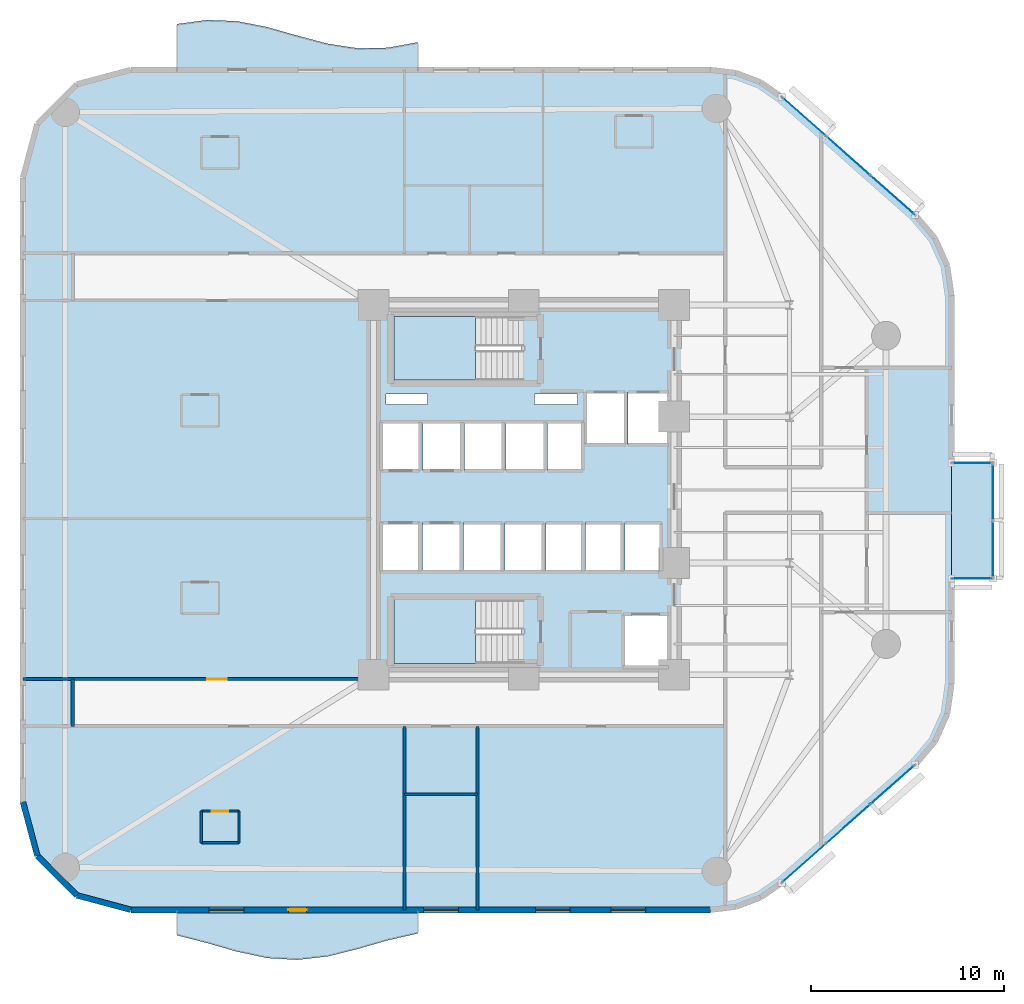
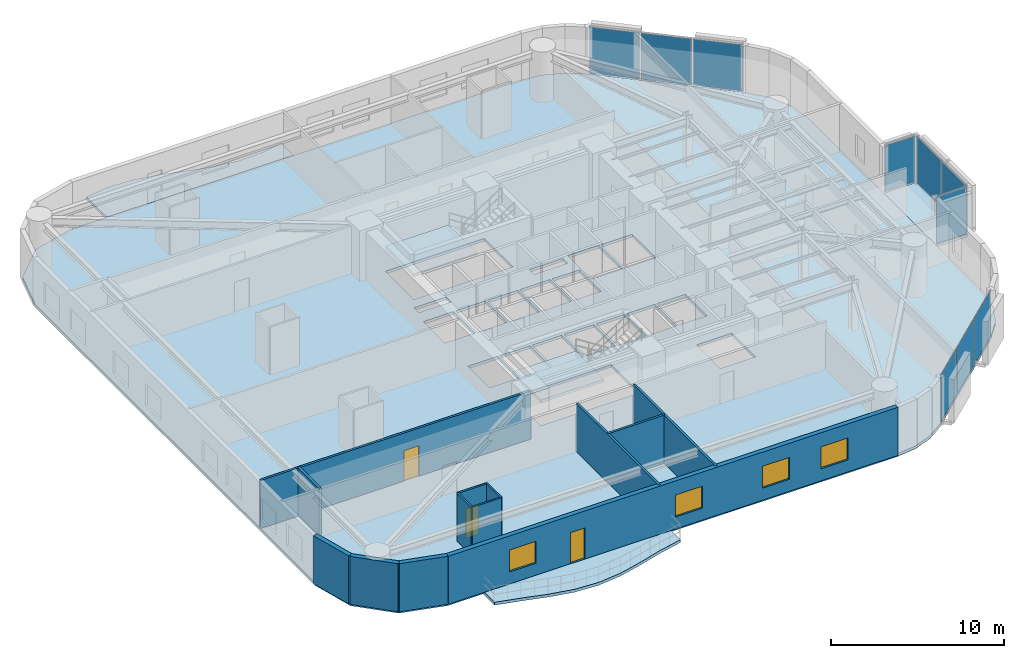
# One storey, part 9 of 16: 13 walls, 10 plates, 6 slabs, 4 windows, 3 doors, 7 openings, 7 elements without a shape of their own.
"""IFC4 building model written with IfcOpenShell, lengths in metres."""

from ifc_helpers import new_model, si_unit, direction, frame, frame_2d, origin, origin_2d, place, context, subcontext, project, spatial, polyline, rectangle, outline, extrude, material, layer, layer_set, type_object, element, fill, aggregate, save


model = new_model("IFC4")

# Units and contexts
model_context = context("Model", 3, precision=1e-05, world=origin(), true_north=direction((0.0, 1.0)))
body_context = subcontext(model_context, "Body", "Model", "MODEL_VIEW")
ifc_project = project(units=[si_unit("LENGTHUNIT", "METRE"), si_unit("AREAUNIT", "SQUARE_METRE"), si_unit("VOLUMEUNIT", "CUBIC_METRE"), si_unit("PLANEANGLEUNIT", "RADIAN"), si_unit("MASSUNIT", "GRAM", prefix="KILO")], contexts=[model_context])

# Site, building, storey
site_placement = place(None, origin())
site = spatial("IfcSite", under=ifc_project, at=site_placement, CompositionType="ELEMENT")
building_placement = place(site_placement, origin())
building = spatial("IfcBuilding", under=site, at=building_placement, Name="An Khanh Terracotta Commons", CompositionType="ELEMENT")
storey_placement = place(building_placement, frame((0.0, 0.0, 57.60009765625)))
storey = spatial("IfcBuildingStorey", under=building, at=storey_placement, Name="L15", CompositionType="ELEMENT", Elevation=57.60009765625)

# Curtain wall, plates
ifc_material_1 = material(Name="Anodised Aluminium 6063-T6", Category="aluminium")
ifc_layer_1 = layer(ifc_material_1, 0.199951171875, Name="Anodised Aluminium 6063-T6")
ifc_layer_set_1 = layer_set([ifc_layer_1], Name="Anodised Aluminium 6063-T6")
curtain_wall_type_1 = type_object("IfcCurtainWallType", Name="CW-SYS-02", PredefinedType="USERDEFINED", material=ifc_layer_set_1)
curtain_wall_1_placement = place(storey_placement, origin())
curtain_wall_1 = element("IfcCurtainWall", 1, at=curtain_wall_1_placement, inside=storey, type_object=curtain_wall_type_1, Name="L15 CW-02 Unitised Curtain Wall CW-L15-08", ObjectType="UNITISED CURTAIN WALL", PredefinedType="USERDEFINED")
ifc_material_2 = material(Name="Double Low-E Solar Control Glazing", Category="glass")
ifc_layer_2 = layer(ifc_material_2, 0.028076171875, Name="Double Low-E Solar Control Glazing")
ifc_layer_set_2 = layer_set([ifc_layer_2], Name="Double Low-E Solar Control Glazing")
plate_type_1 = type_object("IfcPlateType", Name="CWP-IGU-28", PredefinedType="CURTAIN_PANEL", material=ifc_layer_set_2)
plate_1_placement = place(storey_placement, frame((43.95556640625, 4.637939453125, 0.06005859375), z_axis=(0.0, 0.0, 1.0), x_axis=(0.749019284633, 0.662548195415, 0.0)))
plate_1 = element("IfcPlate", 2, at=plate_1_placement, type_object=plate_type_1, Name="CW-02 panel 1.1", PredefinedType="CURTAIN_PANEL", context=body_context, shape_type="SweptSolid", body=[
    extrude(rectangle(XDim=2.97509765625, YDim=0.028076171875, at=origin_2d()), origin(), (0.0, 0.0, 1.0), 3.280029296875),
])
plate_2_placement = place(storey_placement, frame((46.24951171875, 6.6669921875, 0.06005859375), z_axis=(0.0, 0.0, 1.0), x_axis=(0.749019284633, 0.662548195415, 0.0)))
plate_2 = element("IfcPlate", 3, at=plate_2_placement, type_object=plate_type_1, Name="CW-02 panel 2.1", PredefinedType="CURTAIN_PANEL", context=body_context, shape_type="SweptSolid", body=[
    extrude(rectangle(XDim=3.010009765625, YDim=0.028076171875, at=origin_2d()), origin(), (0.0, 0.0, 1.0), 3.280029296875),
])
plate_3_placement = place(storey_placement, frame((48.54345703125, 8.696044921875, 0.06005859375), z_axis=(0.0, 0.0, 1.0), x_axis=(0.749019284633, 0.662548195415, 0.0)))
plate_3 = element("IfcPlate", 4, at=plate_3_placement, type_object=plate_type_1, Name="CW-02 panel 3.1", PredefinedType="CURTAIN_PANEL", context=body_context, shape_type="SweptSolid", body=[
    extrude(rectangle(XDim=2.97509765625, YDim=0.028076171875, at=origin_2d()), origin(), (0.0, 0.0, 1.0), 3.280029296875),
])
aggregate(curtain_wall_1, [plate_1, plate_2, plate_3])

curtain_wall_2_placement = place(storey_placement, origin())
curtain_wall_2 = element("IfcCurtainWall", 5, at=curtain_wall_2_placement, inside=storey, type_object=curtain_wall_type_1, Name="L15 CW-02 Unitised Curtain Wall CW-L15-16", ObjectType="UNITISED CURTAIN WALL", PredefinedType="USERDEFINED")
plate_4_placement = place(storey_placement, frame((48.54345703125, 39.303955078125, 0.06005859375), z_axis=(0.0, 0.0, 1.0), x_axis=(-0.749019284633, 0.662548195415, 0.0)))
plate_4 = element("IfcPlate", 6, at=plate_4_placement, type_object=plate_type_1, Name="CW-02 panel 1.1", PredefinedType="CURTAIN_PANEL", context=body_context, shape_type="SweptSolid", body=[
    extrude(rectangle(XDim=2.97509765625, YDim=0.028076171875, at=origin_2d()), origin(), (0.0, 0.0, 1.0), 3.280029296875),
])
plate_5_placement = place(storey_placement, frame((46.24951171875, 41.3330078125, 0.06005859375), z_axis=(0.0, 0.0, 1.0), x_axis=(-0.749019284633, 0.662548195415, 0.0)))
plate_5 = element("IfcPlate", 7, at=plate_5_placement, type_object=plate_type_1, Name="CW-02 panel 2.1", PredefinedType="CURTAIN_PANEL", context=body_context, shape_type="SweptSolid", body=[
    extrude(rectangle(XDim=3.010009765625, YDim=0.028076171875, at=origin_2d()), origin(), (0.0, 0.0, 1.0), 3.280029296875),
])
plate_6_placement = place(storey_placement, frame((43.95556640625, 43.362060546875, 0.06005859375), z_axis=(0.0, 0.0, 1.0), x_axis=(-0.749019284633, 0.662548195415, 0.0)))
plate_6 = element("IfcPlate", 8, at=plate_6_placement, type_object=plate_type_1, Name="CW-02 panel 3.1", PredefinedType="CURTAIN_PANEL", context=body_context, shape_type="SweptSolid", body=[
    extrude(rectangle(XDim=2.97509765625, YDim=0.028076171875, at=origin_2d()), origin(), (0.0, 0.0, 1.0), 3.280029296875),
])
aggregate(curtain_wall_2, [plate_4, plate_5, plate_6])

ifc_layer_3 = layer(ifc_material_1, 0.239990234375, Name="Anodised Aluminium 6063-T6")
ifc_layer_set_3 = layer_set([ifc_layer_3], Name="Anodised Aluminium 6063-T6")
curtain_wall_type_2 = type_object("IfcCurtainWallType", Name="CW-SYS-04", PredefinedType="USERDEFINED", material=ifc_layer_set_3)
curtain_wall_3_placement = place(storey_placement, origin())
curtain_wall_3 = element("IfcCurtainWall", 9, at=curtain_wall_3_placement, inside=storey, type_object=curtain_wall_type_2, Name="L15 CW-04 Unitised Curtain Wall CW-L15-EBOX-1", ObjectType="UNITISED CURTAIN WALL", PredefinedType="USERDEFINED")
ifc_material_3 = material(Name="Triple-Silver Sky-Lobby Glazing", Category="glass")
ifc_layer_4 = layer(ifc_material_3, 0.0400390625, Name="Triple-Silver Sky-Lobby Glazing")
ifc_layer_set_4 = layer_set([ifc_layer_4], Name="Triple-Silver Sky-Lobby Glazing")
plate_type_2 = type_object("IfcPlateType", Name="CWP-IGU-40", PredefinedType="CURTAIN_PANEL", material=ifc_layer_set_4)
plate_7_placement = place(storey_placement, frame((53.75, 20.916259765625, 0.06005859375), z_axis=(0.0, 0.0, 1.0), x_axis=(0.0, 1.0, 0.0)))
plate_7 = element("IfcPlate", 10, at=plate_7_placement, type_object=plate_type_2, Name="CW-04 panel 1.1", PredefinedType="CURTAIN_PANEL", context=body_context, shape_type="SweptSolid", body=[
    extrude(rectangle(XDim=2.902587890625, YDim=0.0400390625, at=origin_2d()), origin(), (0.0, 0.0, 1.0), 3.280029296875),
])
plate_8_placement = place(storey_placement, frame((53.75, 23.8837890625, 0.06005859375), z_axis=(0.0, 0.0, 1.0), x_axis=(0.0, 1.0, 0.0)))
plate_8 = element("IfcPlate", 11, at=plate_8_placement, type_object=plate_type_2, Name="CW-04 panel 2.1", PredefinedType="CURTAIN_PANEL", context=body_context, shape_type="SweptSolid", body=[
    extrude(rectangle(XDim=2.902587890625, YDim=0.0400390625, at=origin_2d()), origin(), (0.0, 0.0, 1.0), 3.280029296875),
])
aggregate(curtain_wall_3, [plate_7, plate_8])

# Curtain wall, plate
curtain_wall_4_placement = place(storey_placement, origin())
curtain_wall_4 = element("IfcCurtainWall", 12, at=curtain_wall_4_placement, inside=storey, type_object=curtain_wall_type_2, Name="L15 CW-04 Unitised Curtain Wall CW-L15-EBOX-2", ObjectType="UNITISED CURTAIN WALL", PredefinedType="USERDEFINED")
plate_9_placement = place(storey_placement, frame((52.675048828125, 19.39990234375, 0.06005859375), z_axis=(0.0, 0.0, 1.0), x_axis=(1.0, 0.0, 0.0)))
plate_9 = element("IfcPlate", 13, at=plate_9_placement, type_object=plate_type_2, Name="CW-04 panel 1.1", PredefinedType="CURTAIN_PANEL", context=body_context, shape_type="SweptSolid", body=[
    extrude(rectangle(XDim=2.02001953125, YDim=0.0400390625, at=origin_2d()), origin(), (0.0, 0.0, 1.0), 3.280029296875),
])
aggregate(curtain_wall_4, [plate_9])

curtain_wall_5_placement = place(storey_placement, origin())
curtain_wall_5 = element("IfcCurtainWall", 14, at=curtain_wall_5_placement, inside=storey, type_object=curtain_wall_type_2, Name="L15 CW-04 Unitised Curtain Wall CW-L15-EBOX-3", ObjectType="UNITISED CURTAIN WALL", PredefinedType="USERDEFINED")
plate_10_placement = place(storey_placement, frame((52.675048828125, 25.39990234375, 0.06005859375), z_axis=(0.0, 0.0, 1.0), x_axis=(-1.0, 0.0, 0.0)))
plate_10 = element("IfcPlate", 15, at=plate_10_placement, type_object=plate_type_2, Name="CW-04 panel 1.1", PredefinedType="CURTAIN_PANEL", context=body_context, shape_type="SweptSolid", body=[
    extrude(rectangle(XDim=2.02001953125, YDim=0.0400390625, at=origin_2d()), origin(), (0.0, 0.0, 1.0), 3.280029296875),
])
aggregate(curtain_wall_5, [plate_10])

# Slabs
ifc_material_4 = material(Name="Concrete C40/50", Category="concrete")
ifc_layer_5 = layer(ifc_material_4, 0.199951171875, Name="Concrete C40/50")
ifc_layer_set_5 = layer_set([ifc_layer_5], Name="Concrete C40/50")
slab_type_1 = type_object("IfcSlabType", Name="SLAB-BALC-200", PredefinedType="FLOOR", material=ifc_layer_set_5)
slab_1_placement = place(storey_placement, frame((0.0, 0.0, -0.2001953125)))
element("IfcSlab", 16, at=slab_1_placement, inside=storey, type_object=slab_type_1, Name="L15 S Sinusoidal Wave Balcony Slab", PredefinedType="FLOOR", context=body_context, shape_type="SweptSolid", body=[
    extrude(outline(polyline([(11.39990234375, 2.199951171875), (11.39990234375, 0.8798828125), (12.962890625, 0.47802734375), (14.52490234375, 0.029052734375), (16.0869140625, -0.302978515625), (17.64990234375, -0.39599609375), (19.2119140625, -0.218017578125), (20.77490234375, 0.16796875), (22.3369140625, 0.6201171875), (23.89990234375, 0.97412109375), (23.89990234375, 2.199951171875), (11.39990234375, 2.199951171875)])), origin(), (0.0, 0.0, 1.0), 0.2001953125),
])
slab_2_placement = place(storey_placement, frame((0.0, 0.0, -0.2001953125)))
element("IfcSlab", 17, at=slab_2_placement, inside=storey, type_object=slab_type_1, Name="L15 N Sinusoidal Wave Balcony Slab", PredefinedType="FLOOR", context=body_context, shape_type="SweptSolid", body=[
    extrude(outline(polyline([(23.89990234375, 45.800048828125), (23.89990234375, 47.23291015625), (22.3369140625, 46.949951171875), (20.77490234375, 46.922119140625), (19.2119140625, 47.159912109375), (17.64990234375, 47.575927734375), (16.0869140625, 48.02001953125), (14.52490234375, 48.327880859375), (12.962890625, 48.388916015625), (11.39990234375, 48.179931640625), (11.39990234375, 45.800048828125), (23.89990234375, 45.800048828125)])), origin(), (0.0, 0.0, 1.0), 0.2001953125),
])

# Stair, slab
ifc_material_5 = material(Name="Precast concrete C40/50", Category="concrete")
stair_type = type_object("IfcStairType", Name="STAIR-CORE-1550", PredefinedType="HALF_TURN_STAIR", material=ifc_material_5)
stair_1_placement = place(storey_placement, origin())
stair_1 = element("IfcStair", 18, at=stair_1_placement, inside=storey, type_object=stair_type, Name="L15 Core Smokeproof Exit Stair ST-01", PredefinedType="HALF_TURN_STAIR")
ifc_layer_6 = layer(ifc_material_4, 0.18994140625, Name="Concrete C40/50")
ifc_layer_set_6 = layer_set([ifc_layer_6], Name="Concrete C40/50")
slab_type_2 = type_object("IfcSlabType", Name="SLAB-LANDING-190", PredefinedType="LANDING", material=ifc_layer_set_6)
slab_3_placement = place(storey_placement, frame((0.0, 0.0, 1.599853515625)))
slab_3 = element("IfcSlab", 19, at=slab_3_placement, type_object=slab_type_2, Name="ST-01 landing 1", PredefinedType="LANDING", context=body_context, shape_type="SweptSolid", body=[
    extrude(outline(polyline([(26.889892578125, 33.0), (22.64990234375, 33.0), (22.64990234375, 29.699951171875), (26.889892578125, 29.699951171875), (26.889892578125, 33.0)])), origin(), (0.0, 0.0, 1.0), 0.199951171875),
])
aggregate(stair_1, [slab_3])

stair_2_placement = place(storey_placement, origin())
stair_2 = element("IfcStair", 20, at=stair_2_placement, inside=storey, type_object=stair_type, Name="L15 Core Smokeproof Exit Stair ST-02", PredefinedType="HALF_TURN_STAIR")
slab_4_placement = place(storey_placement, frame((0.0, 0.0, 1.599853515625)))
slab_4 = element("IfcSlab", 21, at=slab_4_placement, type_object=slab_type_2, Name="ST-02 landing 1", PredefinedType="LANDING", context=body_context, shape_type="SweptSolid", body=[
    extrude(outline(polyline([(26.889892578125, 18.300048828125), (22.64990234375, 18.300048828125), (22.64990234375, 15.0), (26.889892578125, 15.0), (26.889892578125, 18.300048828125)])), origin(), (0.0, 0.0, 1.0), 0.199951171875),
])
aggregate(stair_2, [slab_4])

# Slabs
ifc_layer_7 = layer(ifc_material_4, 0.199951171875, Name="Concrete C40/50")
ifc_layer_set_7 = layer_set([ifc_layer_7], Name="Concrete C40/50")
slab_type_3 = type_object("IfcSlabType", Name="SLAB-TYP-200", PredefinedType="FLOOR", material=ifc_layer_set_7)
slab_5_placement = place(storey_placement, frame((0.0, 0.0, -0.2001953125)))
element("IfcSlab", 22, at=slab_5_placement, inside=storey, type_object=slab_type_3, Name="L15 Structural Floor Slab", PredefinedType="FLOOR", context=body_context, shape_type="SweptSolid", body=[
    extrude(outline(polyline([(3.39990234375, 7.800048828125), (4.14990234375, 5.0), (6.199951171875, 2.949951171875), (9.0, 2.199951171875), (39.0791015625, 2.199951171875), (40.4169921875, 2.362060546875), (41.678955078125, 2.840087890625), (42.7890625, 3.60595703125), (49.7099609375, 9.72802734375), (50.73193359375, 10.927978515625), (51.37890625, 12.363037109375), (51.60009765625, 13.923095703125), (51.60009765625, 34.076904296875), (51.37890625, 35.636962890625), (50.73193359375, 37.072021484375), (49.7099609375, 38.27197265625), (42.7890625, 44.39404296875), (41.678955078125, 45.159912109375), (40.4169921875, 45.637939453125), (39.0791015625, 45.800048828125), (9.0, 45.800048828125), (6.199951171875, 45.050048828125), (4.14990234375, 43.0), (3.39990234375, 40.199951171875), (3.39990234375, 7.800048828125)]), holes=[polyline([(22.64990234375, 29.699951171875), (29.27001953125, 29.699951171875), (29.27001953125, 33.0), (22.64990234375, 33.0), (22.64990234375, 29.699951171875)]), polyline([(22.64990234375, 15.0), (29.27001953125, 15.0), (29.27001953125, 18.300048828125), (22.64990234375, 18.300048828125), (22.64990234375, 15.0)]), polyline([(32.60009765625, 26.35009765625), (34.679931640625, 26.35009765625), (34.679931640625, 29.080078125), (32.60009765625, 29.080078125), (32.60009765625, 26.35009765625)]), polyline([(34.820068359375, 26.35009765625), (36.89990234375, 26.35009765625), (36.89990234375, 29.080078125), (34.820068359375, 29.080078125), (34.820068359375, 26.35009765625)]), polyline([(34.550048828125, 14.800048828125), (36.89990234375, 14.800048828125), (36.89990234375, 17.550048828125), (34.550048828125, 17.550048828125), (34.550048828125, 14.800048828125)]), polyline([(22.0, 25.0), (24.02001953125, 25.0), (24.02001953125, 27.5), (22.0, 27.5), (22.0, 25.0)]), polyline([(24.159912109375, 25.0), (26.179931640625, 25.0), (26.179931640625, 27.5), (24.159912109375, 27.5), (24.159912109375, 25.0)]), polyline([(22.0, 19.800048828125), (24.0, 19.800048828125), (24.0, 22.300048828125), (22.0, 22.300048828125), (22.0, 19.800048828125)]), polyline([(24.139892578125, 19.800048828125), (26.139892578125, 19.800048828125), (26.139892578125, 22.300048828125), (24.139892578125, 22.300048828125), (24.139892578125, 19.800048828125)]), polyline([(26.320068359375, 25.0), (28.340087890625, 25.0), (28.340087890625, 27.5), (26.320068359375, 27.5), (26.320068359375, 25.0)]), polyline([(28.47998046875, 25.0), (30.5, 25.0), (30.5, 27.5), (28.47998046875, 27.5), (28.47998046875, 25.0)]), polyline([(26.280029296875, 19.800048828125), (28.280029296875, 19.800048828125), (28.280029296875, 22.300048828125), (26.280029296875, 22.300048828125), (26.280029296875, 19.800048828125)]), polyline([(28.419921875, 19.800048828125), (30.419921875, 19.800048828125), (30.419921875, 22.300048828125), (28.419921875, 22.300048828125), (28.419921875, 19.800048828125)]), polyline([(30.639892578125, 25.0), (32.4599609375, 25.0), (32.4599609375, 27.5), (30.639892578125, 27.5), (30.639892578125, 25.0)]), polyline([(30.56005859375, 19.800048828125), (32.4599609375, 19.800048828125), (32.4599609375, 22.300048828125), (30.56005859375, 22.300048828125), (30.56005859375, 19.800048828125)]), polyline([(32.60009765625, 19.800048828125), (34.5, 19.800048828125), (34.5, 22.300048828125), (32.60009765625, 22.300048828125), (32.60009765625, 19.800048828125)]), polyline([(34.639892578125, 19.800048828125), (36.5400390625, 19.800048828125), (36.5400390625, 22.300048828125), (34.639892578125, 22.300048828125), (34.639892578125, 19.800048828125)]), polyline([(22.25, 28.419921875), (24.39990234375, 28.419921875), (24.39990234375, 28.97998046875), (22.25, 28.97998046875), (22.25, 28.419921875)]), polyline([(29.949951171875, 28.419921875), (32.199951171875, 28.419921875), (32.199951171875, 28.97998046875), (29.949951171875, 28.97998046875), (29.949951171875, 28.419921875)])]), origin(), (0.0, 0.0, 1.0), 0.2001953125),
])
slab_6_placement = place(storey_placement, frame((0.0, 0.0, -0.2001953125)))
element("IfcSlab", 23, at=slab_6_placement, inside=storey, type_object=slab_type_3, Name="L15 Shifted Social Kitchen Box Floor Slab", PredefinedType="FLOOR", context=body_context, shape_type="SweptSolid", body=[
    extrude(outline(polyline([(51.60009765625, 19.39990234375), (53.75, 19.39990234375), (53.75, 25.39990234375), (51.60009765625, 25.39990234375), (51.60009765625, 19.39990234375)])), origin(), (0.0, 0.0, 1.0), 0.2001953125),
])

# Walls
ifc_material_6 = material(Name="Fire-Rated Gypsum Board on Steel Stud", Category="steel")
ifc_layer_8 = layer(ifc_material_6, 0.179931640625, Name="Fire-Rated Gypsum Board on Steel Stud")
ifc_layer_set_8 = layer_set([ifc_layer_8], Name="Fire-Rated Gypsum Board on Steel Stud")
wall_type_1 = type_object("IfcWallType", Name="WALL-CORR-180", PredefinedType="PARTITIONING", material=ifc_layer_set_8)
wall_1_placement = place(storey_placement, frame((6.0, 11.719970703125, 0.0), z_axis=(0.0, 0.0, 1.0), x_axis=(0.0, 1.0, 0.0)))
element("IfcWall", 24, at=wall_1_placement, inside=storey, type_object=wall_type_1, Name="L15 Interior Partition IW-L15-E013", PredefinedType="PARTITIONING", context=body_context, shape_type="SweptSolid", body=[
    extrude(rectangle(XDim=2.4599609375, YDim=0.179931640625, at=frame_2d((1.22998046875, 0.0))), origin(), (0.0, 0.0, 1.0), 3.39990234375),
])
ifc_layer_9 = layer(ifc_material_5, 0.300048828125, Name="Precast concrete C40/50")
ifc_layer_set_9 = layer_set([ifc_layer_9], Name="Precast concrete C40/50")
wall_type_2 = type_object("IfcWallType", Name="WALL-EXT-300", PredefinedType="SOLIDWALL", material=ifc_layer_set_9)
wall_2_placement = place(storey_placement, frame((3.39990234375, 7.800048828125, 0.0), z_axis=(0.0, 0.0, 1.0), x_axis=(0.258731875344, -0.96594917914, 0.0)))
element("IfcWall", 25, at=wall_2_placement, inside=storey, type_object=wall_type_2, Name="L15 Insulated Terracotta Exterior Wall 1", PredefinedType="SOLIDWALL", context=body_context, shape_type="SweptSolid", body=[
    extrude(rectangle(XDim=2.898681640625, YDim=0.300048828125, at=frame_2d((1.44921875, 0.0))), origin(), (0.0, 0.0, 1.0), 3.39990234375),
])
wall_3_placement = place(storey_placement, frame((4.14990234375, 5.0, 0.0), z_axis=(0.0, 0.0, 1.0), x_axis=(0.707106781187, -0.707106781187, 0.0)))
element("IfcWall", 26, at=wall_3_placement, inside=storey, type_object=wall_type_2, Name="L15 Insulated Terracotta Exterior Wall 2", PredefinedType="SOLIDWALL", context=body_context, shape_type="SweptSolid", body=[
    extrude(rectangle(XDim=2.899169921875, YDim=0.300048828125, at=frame_2d((1.44970703125, 0.0))), origin(), (0.0, 0.0, 1.0), 3.39990234375),
])
wall_4_placement = place(storey_placement, frame((6.199951171875, 2.949951171875, 0.0), z_axis=(0.0, 0.0, 1.0), x_axis=(0.96594917914, -0.258731875344, 0.0)))
element("IfcWall", 27, at=wall_4_placement, inside=storey, type_object=wall_type_2, Name="L15 Insulated Terracotta Exterior Wall 3", PredefinedType="SOLIDWALL", context=body_context, shape_type="SweptSolid", body=[
    extrude(rectangle(XDim=2.898681640625, YDim=0.300048828125, at=frame_2d((1.44921875, 0.0))), origin(), (0.0, 0.0, 1.0), 3.39990234375),
])

# Wall, openings, door, windows
wall_5_placement = place(storey_placement, frame((9.0, 2.199951171875, 0.0), z_axis=(0.0, 0.0, 1.0), x_axis=(1.0, 0.0, 0.0)))
wall_5 = element("IfcWall", 28, at=wall_5_placement, inside=storey, type_object=wall_type_2, Name="L15 Insulated Terracotta Exterior Wall 4", PredefinedType="SOLIDWALL", context=body_context, shape_type="SweptSolid", body=[
    extrude(rectangle(XDim=30.0791015625, YDim=0.300048828125, at=frame_2d((15.03955078125, 0.0))), origin(), (0.0, 0.0, 1.0), 3.39990234375),
])
opening_1_placement = place(wall_5_placement, frame((8.175048828125, 0.0, 0.0)))
opening_1 = element("IfcOpeningElement", 29, at=opening_1_placement, cuts=wall_5, Name="Opening D-BAL", PredefinedType="OPENING", context=body_context, shape_type="SweptSolid", body=[
    extrude(rectangle(XDim=0.949951171875, YDim=2.199951171875, at=frame_2d((0.47509765625, 1.10009765625))), frame((0.0, 0.159912109375, 0.0), z_axis=(0.0, -1.0, 0.0), x_axis=(1.0, 0.0, 0.0)), (0.0, 0.0, 1.0), 0.320068359375),
])
opening_2_placement = place(wall_5_placement, frame((4.06689453125, 0.0, 0.85009765625)))
opening_2 = element("IfcOpeningElement", 30, at=opening_2_placement, cuts=wall_5, Name="Opening W-01", PredefinedType="OPENING", context=body_context, shape_type="SweptSolid", body=[
    extrude(rectangle(XDim=1.800048828125, YDim=1.550048828125, at=frame_2d((0.89990234375, 0.77490234375))), frame((0.0, 0.159912109375, 0.0), z_axis=(0.0, -1.0, 0.0), x_axis=(1.0, 0.0, 0.0)), (0.0, 0.0, 1.0), 0.320068359375),
])
opening_3_placement = place(wall_5_placement, frame((15.199951171875, 0.0, 0.85009765625)))
opening_3 = element("IfcOpeningElement", 31, at=opening_3_placement, cuts=wall_5, Name="Opening W-01", PredefinedType="OPENING", context=body_context, shape_type="SweptSolid", body=[
    extrude(rectangle(XDim=1.800048828125, YDim=1.550048828125, at=frame_2d((0.89990234375, 0.77490234375))), frame((0.0, 0.159912109375, 0.0), z_axis=(0.0, -1.0, 0.0), x_axis=(1.0, 0.0, 0.0)), (0.0, 0.0, 1.0), 0.320068359375),
])
opening_4_placement = place(wall_5_placement, frame((21.010009765625, 0.0, 0.85009765625)))
opening_4 = element("IfcOpeningElement", 32, at=opening_4_placement, cuts=wall_5, Name="Opening W-01", PredefinedType="OPENING", context=body_context, shape_type="SweptSolid", body=[
    extrude(rectangle(XDim=1.800048828125, YDim=1.550048828125, at=frame_2d((0.89990234375, 0.77490234375))), frame((0.0, 0.159912109375, 0.0), z_axis=(0.0, -1.0, 0.0), x_axis=(1.0, 0.0, 0.0)), (0.0, 0.0, 1.0), 0.320068359375),
])
opening_5_placement = place(wall_5_placement, frame((24.9189453125, 0.0, 0.85009765625)))
opening_5 = element("IfcOpeningElement", 33, at=opening_5_placement, cuts=wall_5, Name="Opening W-01", PredefinedType="OPENING", context=body_context, shape_type="SweptSolid", body=[
    extrude(rectangle(XDim=1.800048828125, YDim=1.550048828125, at=frame_2d((0.89990234375, 0.77490234375))), frame((0.0, 0.159912109375, 0.0), z_axis=(0.0, -1.0, 0.0), x_axis=(1.0, 0.0, 0.0)), (0.0, 0.0, 1.0), 0.320068359375),
])
ifc_material_7 = material(Name="Thermally Broken Aluminium and Low-E Glass", Category="aluminium")
door_type_1 = type_object("IfcDoorType", Name="DOOR-BALC-950", OperationType="NOTDEFINED", PredefinedType="DOOR", material=ifc_material_7)
door_1_placement = place(opening_1_placement, origin())
door_1 = element("IfcDoor", 34, at=door_1_placement, inside=storey, type_object=door_type_1, Name="L15 S Wave Balcony Glazed Door", OperationType="SINGLE_SWING_LEFT", OverallHeight=2.199951171875, OverallWidth=0.949951171875, PredefinedType="DOOR", context=body_context, shape_type="SweptSolid", body=[
    extrude(rectangle(XDim=0.949951171875, YDim=2.199951171875, at=frame_2d((0.47509765625, 1.10009765625))), frame((0.0, 0.02490234375, 0.0), z_axis=(0.0, -1.0, 0.0), x_axis=(1.0, 0.0, 0.0)), (0.0, 0.0, 1.0), 0.050048828125),
])
fill(opening_1, door_1)
window_type = type_object("IfcWindowType", Name="WIN-Z1-1800x1550", PartitioningType="DOUBLE_PANEL_VERTICAL", PredefinedType="WINDOW", material=ifc_material_7)
window_1_placement = place(opening_2_placement, origin())
window_1 = element("IfcWindow", 35, at=window_1_placement, inside=storey, type_object=window_type, Name="L15 Operable Casement Window 4.1", OverallHeight=1.550048828125, OverallWidth=1.800048828125, PartitioningType="DOUBLE_PANEL_VERTICAL", PredefinedType="WINDOW", context=body_context, shape_type="SweptSolid", body=[
    extrude(rectangle(XDim=1.800048828125, YDim=1.550048828125, at=frame_2d((0.89990234375, 0.77490234375))), frame((0.0, 0.030029296875, 0.0), z_axis=(0.0, -1.0, 0.0), x_axis=(1.0, 0.0, 0.0)), (0.0, 0.0, 1.0), 0.06005859375),
])
fill(opening_2, window_1)
window_2_placement = place(opening_3_placement, origin())
window_2 = element("IfcWindow", 36, at=window_2_placement, inside=storey, type_object=window_type, Name="L15 Operable Casement Window 4.2", OverallHeight=1.550048828125, OverallWidth=1.800048828125, PartitioningType="DOUBLE_PANEL_VERTICAL", PredefinedType="WINDOW", context=body_context, shape_type="SweptSolid", body=[
    extrude(rectangle(XDim=1.800048828125, YDim=1.550048828125, at=frame_2d((0.89990234375, 0.77490234375))), frame((0.0, 0.030029296875, 0.0), z_axis=(0.0, -1.0, 0.0), x_axis=(1.0, 0.0, 0.0)), (0.0, 0.0, 1.0), 0.06005859375),
])
fill(opening_3, window_2)
window_3_placement = place(opening_4_placement, origin())
window_3 = element("IfcWindow", 37, at=window_3_placement, inside=storey, type_object=window_type, Name="L15 Operable Casement Window 4.3", OverallHeight=1.550048828125, OverallWidth=1.800048828125, PartitioningType="DOUBLE_PANEL_VERTICAL", PredefinedType="WINDOW", context=body_context, shape_type="SweptSolid", body=[
    extrude(rectangle(XDim=1.800048828125, YDim=1.550048828125, at=frame_2d((0.89990234375, 0.77490234375))), frame((0.0, 0.030029296875, 0.0), z_axis=(0.0, -1.0, 0.0), x_axis=(1.0, 0.0, 0.0)), (0.0, 0.0, 1.0), 0.06005859375),
])
fill(opening_4, window_3)
window_4_placement = place(opening_5_placement, origin())
window_4 = element("IfcWindow", 38, at=window_4_placement, inside=storey, type_object=window_type, Name="L15 Operable Casement Window 4.4", OverallHeight=1.550048828125, OverallWidth=1.800048828125, PartitioningType="DOUBLE_PANEL_VERTICAL", PredefinedType="WINDOW", context=body_context, shape_type="SweptSolid", body=[
    extrude(rectangle(XDim=1.800048828125, YDim=1.550048828125, at=frame_2d((0.89990234375, 0.77490234375))), frame((0.0, 0.030029296875, 0.0), z_axis=(0.0, -1.0, 0.0), x_axis=(1.0, 0.0, 0.0)), (0.0, 0.0, 1.0), 0.06005859375),
])
fill(opening_5, window_4)

# Wall
ifc_material_8 = material(Name="Acoustic Gypsum Board Partition")
ifc_layer_10 = layer(ifc_material_8, 0.14990234375, Name="Acoustic Gypsum Board Partition")
ifc_layer_set_10 = layer_set([ifc_layer_10], Name="Acoustic Gypsum Board Partition")
wall_type_3 = type_object("IfcWallType", Name="WALL-PART-150", PredefinedType="PARTITIONING", material=ifc_layer_set_10)
wall_6_placement = place(storey_placement, frame((23.199951171875, 8.199951171875, 0.0), z_axis=(0.0, 0.0, 1.0), x_axis=(1.0, 0.0, 0.0)))
element("IfcWall", 39, at=wall_6_placement, inside=storey, type_object=wall_type_3, Name="L15 Interior Partition IW-L15-E001", PredefinedType="PARTITIONING", context=body_context, shape_type="SweptSolid", body=[
    extrude(rectangle(XDim=3.800048828125, YDim=0.14990234375, at=frame_2d((1.89990234375, 0.0))), origin(), (0.0, 0.0, 1.0), 3.39990234375),
])

# Wall, opening, door
wall_7_placement = place(storey_placement, frame((3.39990234375, 14.179931640625, 0.0), z_axis=(0.0, 0.0, 1.0), x_axis=(1.0, 0.0, 0.0)))
wall_7 = element("IfcWall", 40, at=wall_7_placement, inside=storey, type_object=wall_type_3, Name="L15 Interior Partition IW-L15-E003", PredefinedType="PARTITIONING", context=body_context, shape_type="SweptSolid", body=[
    extrude(rectangle(XDim=18.080078125, YDim=0.14990234375, at=frame_2d((9.0400390625, 0.0))), origin(), (0.0, 0.0, 1.0), 3.39990234375),
])
opening_6_placement = place(wall_7_placement, frame((9.580078125, 0.0, 0.0)))
opening_6 = element("IfcOpeningElement", 41, at=opening_6_placement, cuts=wall_7, Name="Opening D-UN", PredefinedType="OPENING", context=body_context, shape_type="SweptSolid", body=[
    extrude(rectangle(XDim=1.0, YDim=2.14990234375, at=frame_2d((0.5, 1.074951171875))), frame((0.0, 0.0849609375, 0.0), z_axis=(0.0, -1.0, 0.0), x_axis=(1.0, 0.0, 0.0)), (0.0, 0.0, 1.0), 0.169921875),
])
ifc_material_9 = material(Name="Solid-Core Hardwood Acoustic Fire Door", Category="wood")
door_type_2 = type_object("IfcDoorType", Name="DOOR-UNIT-1000", OperationType="NOTDEFINED", PredefinedType="DOOR", material=ifc_material_9)
door_2_placement = place(opening_6_placement, origin())
door_2 = element("IfcDoor", 42, at=door_2_placement, inside=storey, type_object=door_type_2, Name="L15 WW1 Kitchenette and Studio Apartment Door", OperationType="SINGLE_SWING_LEFT", OverallHeight=2.14990234375, OverallWidth=1.0, PredefinedType="DOOR", context=body_context, shape_type="SweptSolid", body=[
    extrude(rectangle(XDim=1.0, YDim=2.14990234375, at=frame_2d((0.5, 1.074951171875))), frame((0.0, 0.02490234375, 0.0), z_axis=(0.0, -1.0, 0.0), x_axis=(1.0, 0.0, 0.0)), (0.0, 0.0, 1.0), 0.050048828125),
])
fill(opening_6, door_2)

# Walls
for number, where, z_axis, x_axis, name in (
    (43, (23.199951171875, 2.199951171875, 0.0), (0.0, 0.0, 1.0), (0.0, 1.0, 0.0), "L15 Interior Partition IW-L15-E015"),
    (44, (27.0, 2.199951171875, 0.0), (0.0, 0.0, 1.0), (0.0, 1.0, 0.0), "L15 Interior Partition IW-L15-E018"),
):
    element("IfcWall", number, at=place(storey_placement, frame(where, z_axis=z_axis, x_axis=x_axis)), inside=storey, type_object=wall_type_3, Name=name, PredefinedType="PARTITIONING", context=body_context, shape_type="SweptSolid", body=[
        extrude(rectangle(XDim=9.52001953125, YDim=0.14990234375, at=frame_2d((4.760009765625, 0.0))), origin(), (0.0, 0.0, 1.0), 3.39990234375),
    ])

# Wall, opening, door
ifc_material_10 = material(Name="Moisture-Resistant Cement Board Partition")
ifc_layer_11 = layer(ifc_material_10, 0.1201171875, Name="Moisture-Resistant Cement Board Partition")
ifc_layer_set_11 = layer_set([ifc_layer_11], Name="Moisture-Resistant Cement Board Partition")
wall_type_4 = type_object("IfcWallType", Name="WALL-WET-120", PredefinedType="PARTITIONING", material=ifc_layer_set_11)
wall_8_placement = place(storey_placement, frame((12.6640625, 7.3291015625, 0.0), z_axis=(0.0, 0.0, 1.0), x_axis=(1.0, 0.0, 0.0)))
wall_8 = element("IfcWall", 45, at=wall_8_placement, inside=storey, type_object=wall_type_4, Name="L15 Interior Partition IW-L15-SW1-BN", PredefinedType="PARTITIONING", context=body_context, shape_type="SweptSolid", body=[
    extrude(rectangle(XDim=1.949951171875, YDim=0.1201171875, at=frame_2d((0.97509765625, 0.0))), origin(), (0.0, 0.0, 1.0), 3.39990234375),
])
opening_7_placement = place(wall_8_placement, frame((0.544921875, 0.0, 0.0)))
opening_7 = element("IfcOpeningElement", 46, at=opening_7_placement, cuts=wall_8, Name="Opening D-ENS", PredefinedType="OPENING", context=body_context, shape_type="SweptSolid", body=[
    extrude(rectangle(XDim=0.860107421875, YDim=2.10009765625, at=frame_2d((0.43017578125, 1.050048828125))), frame((0.0, 0.070068359375, 0.0), z_axis=(0.0, -1.0, 0.0), x_axis=(1.0, 0.0, 0.0)), (0.0, 0.0, 1.0), 0.14013671875),
])
ifc_material_11 = material(Name="Moisture-Resistant Hardwood Timber Leaf", Category="wood")
door_type_3 = type_object("IfcDoorType", Name="DOOR-BATH-860", OperationType="NOTDEFINED", PredefinedType="DOOR", material=ifc_material_11)
door_3_placement = place(opening_7_placement, origin())
door_3 = element("IfcDoor", 47, at=door_3_placement, inside=storey, type_object=door_type_3, Name="L15 Studio SW1 En-suite Door", OperationType="SINGLE_SWING_LEFT", OverallHeight=2.10009765625, OverallWidth=0.860107421875, PredefinedType="DOOR", context=body_context, shape_type="SweptSolid", body=[
    extrude(rectangle(XDim=0.860107421875, YDim=2.10009765625, at=frame_2d((0.43017578125, 1.050048828125))), frame((0.0, 0.02490234375, 0.0), z_axis=(0.0, -1.0, 0.0), x_axis=(1.0, 0.0, 0.0)), (0.0, 0.0, 1.0), 0.050048828125),
])
fill(opening_7, door_3)

# Walls
wall_9_placement = place(storey_placement, frame((14.614013671875, 5.678955078125, 0.0), z_axis=(0.0, 0.0, 1.0), x_axis=(-1.0, 0.0, 0.0)))
element("IfcWall", 48, at=wall_9_placement, inside=storey, type_object=wall_type_4, Name="L15 Interior Partition IW-L15-SW1-BS", PredefinedType="PARTITIONING", context=body_context, shape_type="SweptSolid", body=[
    extrude(rectangle(XDim=1.949951171875, YDim=0.1201171875, at=frame_2d((0.97509765625, 0.0))), origin(), (0.0, 0.0, 1.0), 3.39990234375),
])
for number, where, z_axis, x_axis, name in (
    (49, (12.6640625, 7.3291015625, 0.0), (0.0, 0.0, 1.0), (0.0, -1.0, 0.0), "L15 Interior Partition IW-L15-SW1-BW"),
    (50, (14.614013671875, 5.678955078125, 0.0), (0.0, 0.0, 1.0), (0.0, 1.0, 0.0), "L15 Interior Partition IW-L15-SW1-BE"),
):
    element("IfcWall", number, at=place(storey_placement, frame(where, z_axis=z_axis, x_axis=x_axis)), inside=storey, type_object=wall_type_4, Name=name, PredefinedType="PARTITIONING", context=body_context, shape_type="SweptSolid", body=[
        extrude(rectangle(XDim=1.650146484375, YDim=0.1201171875, at=frame_2d((0.8251953125, 0.0))), origin(), (0.0, 0.0, 1.0), 3.39990234375),
    ])

save(model, "model.ifc")
